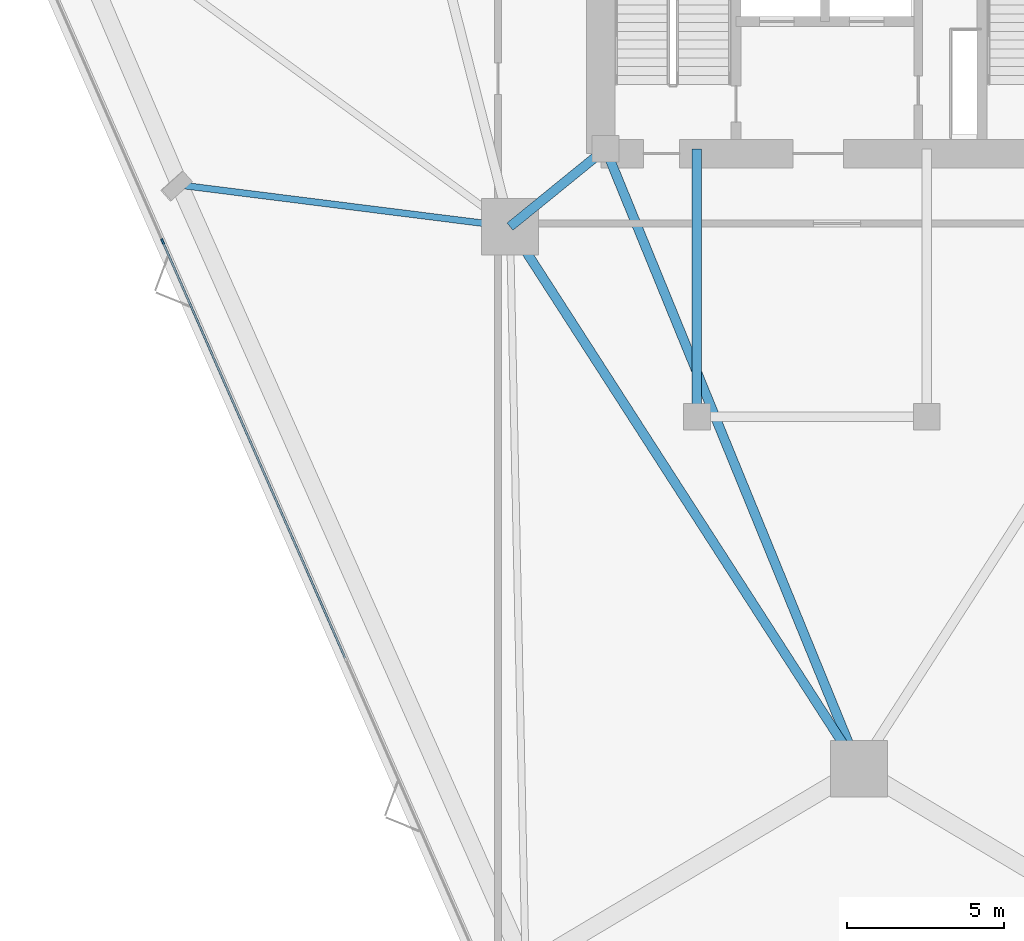
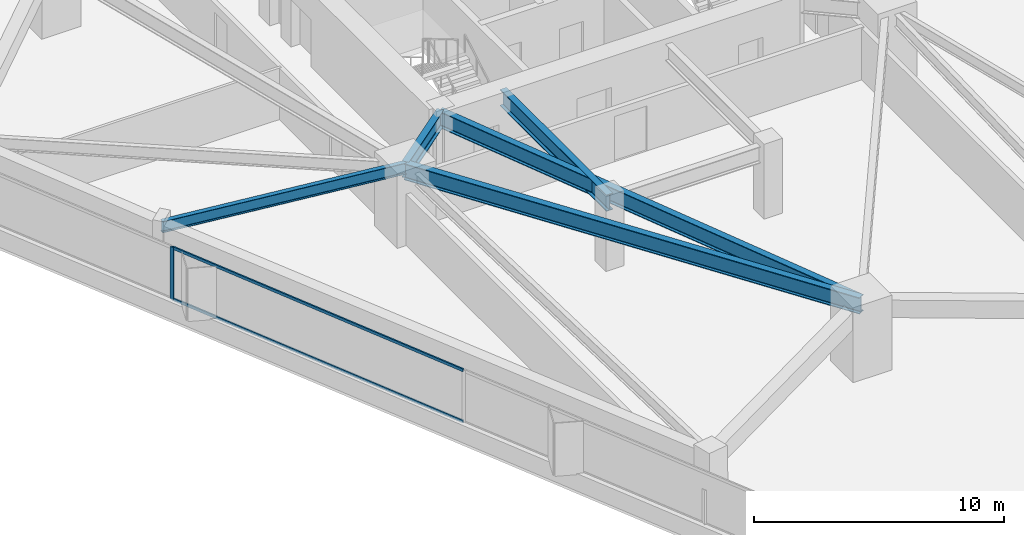
# One storey, part 6 of 20: 5 beams, 3 members, 1 element without a shape of its own.
"""IFC4 building model written with IfcOpenShell, lengths in metres."""

from ifc_helpers import new_model, si_unit, direction, frame, origin, origin_2d, place, context, subcontext, project, spatial, rectangle, i_section, extrude, material, layer, layer_set, material_profile, profile_set, type_object, element, aggregate, save


model = new_model("IFC4")

# Units and contexts
model_context = context("Model", 3, precision=1e-05, world=origin(), true_north=direction((0.0, 1.0)))
body_context = subcontext(model_context, "Body", "Model", "MODEL_VIEW")
ifc_project = project(units=[si_unit("LENGTHUNIT", "METRE"), si_unit("AREAUNIT", "SQUARE_METRE"), si_unit("VOLUMEUNIT", "CUBIC_METRE"), si_unit("PLANEANGLEUNIT", "RADIAN"), si_unit("MASSUNIT", "GRAM", prefix="KILO")], contexts=[model_context])

# Site, building, storey
site_placement = place(None, origin())
site = spatial("IfcSite", under=ifc_project, at=site_placement, CompositionType="ELEMENT")
building_placement = place(site_placement, origin())
building = spatial("IfcBuilding", under=site, at=building_placement, Name="Talyreon Biosciences Tower", CompositionType="ELEMENT")
storey_placement = place(building_placement, frame((0.0, 0.0, 41.050048828125)))
storey = spatial("IfcBuildingStorey", under=building, at=storey_placement, Name="L10", CompositionType="ELEMENT", Elevation=41.050048828125)

# Curtain wall, members
ifc_material_1 = material(Name="Thermally broken aluminium and low-E glazing", Category="aluminium")
ifc_layer = layer(ifc_material_1, 0.195068359375)
ifc_layer_set = layer_set([ifc_layer], Name="Thermally broken aluminium and low-E glazing")
curtain_wall_type = type_object("IfcCurtainWallType", Name="CurtainWall_Zone1WetLab", PredefinedType="NOTDEFINED", material=ifc_layer_set)
curtain_wall_placement = place(storey_placement, origin())
curtain_wall = element("IfcCurtainWall", 1, at=curtain_wall_placement, inside=storey, type_object=curtain_wall_type, Name="L10 Unitised Curtain Wall FCW-L10-00", PredefinedType="NOTDEFINED")
ifc_material_2 = material(Name="Anodised thermally broken aluminium", Category="aluminium")
ifc_material_profile_1 = material_profile(ifc_material_2, rectangle(XDim=0.06494140625, YDim=0.179931640625, at=origin_2d()), Name="ALUM MULLION 65x180")
ifc_profile_set_1 = profile_set([ifc_material_profile_1], Name="Anodised thermally broken aluminium")
member_type_1 = type_object("IfcMemberType", Name="CWMullion_65x180", PredefinedType="MULLION", material=ifc_profile_set_1)
member_1_placement = place(storey_placement, frame((43.882568359375, 58.40869140625, 0.81005859375), z_axis=(0.0, 0.0, 1.0), x_axis=(-0.915980408101, -0.401222995321, 0.0)))
member_1 = element("IfcMember", 2, at=member_1_placement, type_object=member_type_1, Name="CW2 mullion 4", PredefinedType="MULLION", context=body_context, shape_type="SweptSolid", body=[
    extrude(rectangle(XDim=0.06494140625, YDim=0.179931640625, at=origin_2d()), origin(), (0.0, 0.0, 1.0), 2.56494140625),
])
ifc_material_profile_2 = material_profile(ifc_material_2, rectangle(XDim=0.06494140625, YDim=0.139892578125, at=origin_2d()), Name="ALUM TRANSOM 65x140")
ifc_profile_set_2 = profile_set([ifc_material_profile_2], Name="Anodised thermally broken aluminium")
member_type_2 = type_object("IfcMemberType", Name="CWTransom_65x140", PredefinedType="USERDEFINED", material=ifc_profile_set_2)
member_2_placement = place(storey_placement, frame((49.6787109375, 45.176025390625, 0.842529296875), z_axis=(-0.401223081321, 0.915980370431, 0.0), x_axis=(-0.915980370431, -0.401223081321, 0.0)))
member_2 = element("IfcMember", 3, at=member_2_placement, type_object=member_type_2, Name="CW2 transom 3.1", ObjectType="TRANSOM", PredefinedType="USERDEFINED", context=body_context, shape_type="SweptSolid", body=[
    extrude(rectangle(XDim=0.06494140625, YDim=0.139892578125, at=origin_2d()), origin(), (0.0, 0.0, 1.0), 14.413818359375),
])
member_3_placement = place(storey_placement, frame((49.6787109375, 45.176025390625, 3.342529296875), z_axis=(-0.401223081321, 0.915980370431, 0.0), x_axis=(-0.915980370431, -0.401223081321, 0.0)))
member_3 = element("IfcMember", 4, at=member_3_placement, type_object=member_type_2, Name="CW2 transom 3.2", ObjectType="TRANSOM", PredefinedType="USERDEFINED", context=body_context, shape_type="SweptSolid", body=[
    extrude(rectangle(XDim=0.06494140625, YDim=0.139892578125, at=origin_2d()), origin(), (0.0, 0.0, 1.0), 14.413818359375),
])
aggregate(curtain_wall, [member_1, member_2, member_3])

# Beams
ifc_material_3 = material(Name="Steel SM355", Category="steel")
ifc_material_profile_3 = material_profile(ifc_material_3, i_section(OverallWidth=0.300048828125, OverallDepth=0.800048828125, WebThickness=0.017578125, FlangeThickness=0.032958984375, FilletRadius=0.030029296875, at=origin_2d()), Name="HE800B")
ifc_profile_set_3 = profile_set([ifc_material_profile_3], Name="Steel SM355")
beam_type_1 = type_object("IfcBeamType", Name="SteelGirder_HE800B", PredefinedType="BEAM", material=ifc_profile_set_3)
beam_1_placement = place(storey_placement, frame((54.913818359375, 58.88037109375, 2.974853515625), z_axis=(0.541463723609, -0.840724114092, 0.0), x_axis=(0.840724114092, 0.541463723609, 0.0)))
element("IfcBeam", 5, at=beam_1_placement, inside=storey, type_object=beam_type_1, Name="L10 Mega-Ring Girder 6", PredefinedType="BEAM", context=body_context, shape_type="SweptSolid", body=[
    extrude(i_section(OverallWidth=0.300048828125, OverallDepth=0.800048828125, WebThickness=0.017578125, FlangeThickness=0.032958984375, FilletRadius=0.030029296875, at=origin_2d()), origin(), (0.0, 0.0, 1.0), 20.474365234375),
])
beam_2_placement = place(storey_placement, frame((57.949951171875, 61.35009765625, 2.974853515625), z_axis=(0.378547014545, -0.925582064314, 0.0), x_axis=(0.925582064314, 0.378547014545, 0.0)))
element("IfcBeam", 6, at=beam_2_placement, inside=storey, type_object=beam_type_1, Name="L10 Radial Primary Girder 1", PredefinedType="BEAM", context=body_context, shape_type="SweptSolid", body=[
    extrude(i_section(OverallWidth=0.300048828125, OverallDepth=0.800048828125, WebThickness=0.017578125, FlangeThickness=0.032958984375, FilletRadius=0.030029296875, at=origin_2d()), origin(), (0.0, 0.0, 1.0), 21.265625),
])
beam_3_placement = place(storey_placement, frame((57.949951171875, 61.35009765625, 2.974853515625), z_axis=(-0.775755154013, -0.631034025249, 0.0), x_axis=(0.631034025249, -0.775755154013, 0.0)))
element("IfcBeam", 7, at=beam_3_placement, inside=storey, type_object=beam_type_1, Name="L10 Radial Primary Girder 6", PredefinedType="BEAM", context=body_context, shape_type="SweptSolid", body=[
    extrude(i_section(OverallWidth=0.300048828125, OverallDepth=0.800048828125, WebThickness=0.017578125, FlangeThickness=0.032958984375, FilletRadius=0.030029296875, at=origin_2d()), origin(), (0.0, 0.0, 1.0), 3.913818359375),
])
beam_4_placement = place(storey_placement, frame((60.85009765625, 52.840087890625, 2.974853515625), z_axis=(0.0, 1.0, 0.0), x_axis=(-1.0, 0.0, 0.0)))
element("IfcBeam", 8, at=beam_4_placement, inside=storey, type_object=beam_type_1, Name="L10 Crown Shaft Tie Girder W", PredefinedType="BEAM", context=body_context, shape_type="SweptSolid", body=[
    extrude(i_section(OverallWidth=0.300048828125, OverallDepth=0.800048828125, WebThickness=0.017578125, FlangeThickness=0.032958984375, FilletRadius=0.030029296875, at=origin_2d()), origin(), (0.0, 0.0, 1.0), 8.510009765625),
])
ifc_material_profile_4 = material_profile(ifc_material_3, i_section(OverallWidth=0.2099609375, OverallDepth=0.550048828125, WebThickness=0.010986328125, FlangeThickness=0.01708984375, FilletRadius=0.02392578125, at=origin_2d()), Name="IPE550")
ifc_profile_set_4 = profile_set([ifc_material_profile_4], Name="Steel SM355")
beam_type_2 = type_object("IfcBeamType", Name="SteelJoist_IPE550", PredefinedType="JOIST", material=ifc_profile_set_4)
beam_5_placement = place(storey_placement, frame((54.913818359375, 58.88037109375, 3.099853515625), z_axis=(-0.992172367454, 0.12487591145, 0.0), x_axis=(-0.12487591145, -0.992172367454, 0.0)))
element("IfcBeam", 9, at=beam_5_placement, inside=storey, type_object=beam_type_2, Name="L10 Radial Composite Floor Joist PL-SW", PredefinedType="JOIST", context=body_context, shape_type="SweptSolid", body=[
    extrude(i_section(OverallWidth=0.2099609375, OverallDepth=0.550048828125, WebThickness=0.010986328125, FlangeThickness=0.01708984375, FilletRadius=0.02392578125, at=origin_2d()), origin(), (0.0, 0.0, 1.0), 10.572998046875),
])

save(model, "model.ifc")
